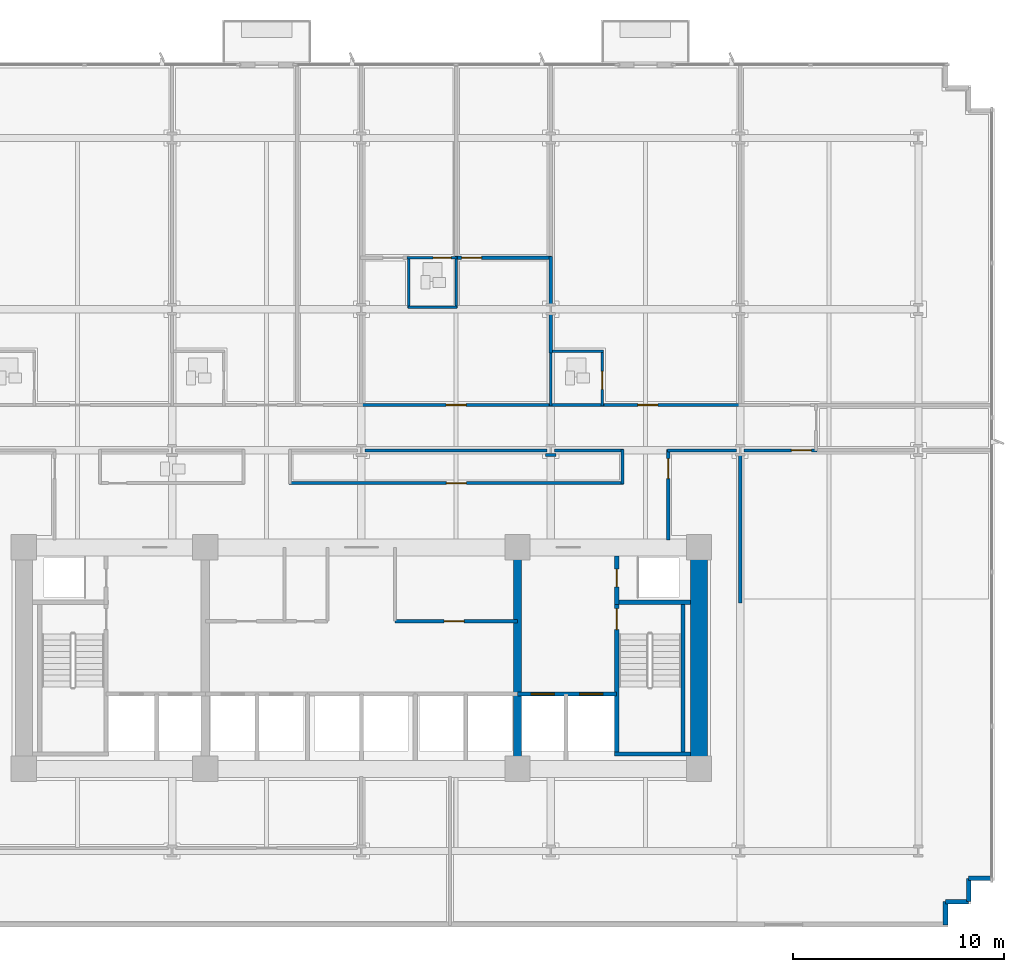
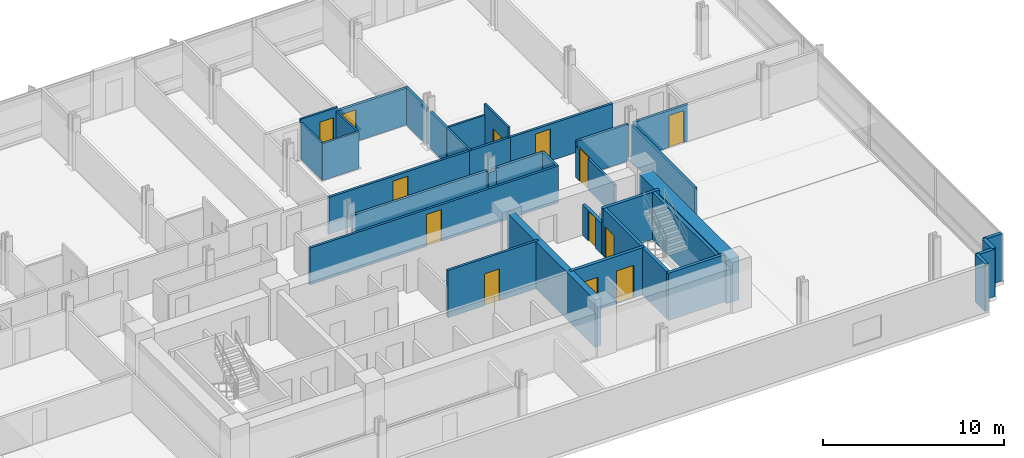
# One storey, part 10 of 15: 35 walls, 13 doors, 13 openings.
"""IFC4 building model written with IfcOpenShell, lengths in metres."""

from ifc_helpers import new_model, si_unit, direction, frame, frame_2d, origin, place, context, subcontext, project, spatial, rectangle, extrude, material, layer, layer_set, type_object, element, fill, save


model = new_model("IFC4")

# Units and contexts
model_context = context("Model", 3, precision=1e-05, world=origin(), true_north=direction((0.0, 1.0)))
body_context = subcontext(model_context, "Body", "Model", "MODEL_VIEW")
ifc_project = project(units=[si_unit("LENGTHUNIT", "METRE"), si_unit("AREAUNIT", "SQUARE_METRE"), si_unit("VOLUMEUNIT", "CUBIC_METRE"), si_unit("PLANEANGLEUNIT", "RADIAN"), si_unit("MASSUNIT", "GRAM", prefix="KILO")], contexts=[model_context])

# Site, building, storey
site_placement = place(None, origin())
site = spatial("IfcSite", under=ifc_project, at=site_placement, CompositionType="ELEMENT")
building_placement = place(site_placement, origin())
building = spatial("IfcBuilding", under=site, at=building_placement, Name="Solmavex Isthmus Hotel", CompositionType="ELEMENT")
storey_placement = place(building_placement, frame((0.0, 0.0, 33.300048828125)))
storey = spatial("IfcBuildingStorey", under=building, at=storey_placement, Name="L08", CompositionType="ELEMENT", Elevation=33.300048828125)

# Walls
ifc_material_1 = material(Name="Precast Concrete C40/50", Category="concrete")
ifc_layer_1 = layer(ifc_material_1, 0.25)
ifc_layer_set_1 = layer_set([ifc_layer_1], Name="Precast Concrete C40/50")
wall_type_1 = type_object("IfcWallType", Name="EW-TWR-250", PredefinedType="STANDARD", material=ifc_layer_set_1)
wall_1_placement = place(storey_placement, frame((29.889892578125, -18.18994140625, 0.0), z_axis=(0.0, 0.0, 1.0), x_axis=(-1.0, 0.0, 0.0)))
element("IfcWall", 1, at=wall_1_placement, inside=storey, type_object=wall_type_1, Name="Serrated Corner Facade Panel L08-16", PredefinedType="STANDARD", context=body_context, shape_type="SweptSolid", body=[
    extrude(rectangle(XDim=1.099853515625, YDim=0.219970703125, at=frame_2d((0.5498046875, 0.0))), origin(), (0.0, 0.0, 1.0), 3.18994140625),
])
for number, where, z_axis, x_axis, name in (
    (2, (28.7900390625, -18.18994140625, 0.0), (0.0, 0.0, 1.0), (0.0, -1.0, 0.0), "Serrated Corner Facade Panel L08-17"),
    (3, (28.7900390625, -19.2900390625, 0.0), (0.0, 0.0, 1.0), (-1.0, 0.0, 0.0), "Serrated Corner Facade Panel L08-18"),
):
    element("IfcWall", number, at=place(storey_placement, frame(where, z_axis=z_axis, x_axis=x_axis)), inside=storey, type_object=wall_type_1, Name=name, PredefinedType="STANDARD", context=body_context, shape_type="SweptSolid", body=[
        extrude(rectangle(XDim=1.10009765625, YDim=0.219970703125, at=frame_2d((0.550048828125, 0.0))), origin(), (0.0, 0.0, 1.0), 3.18994140625),
    ])
wall_2_placement = place(storey_placement, frame((27.68994140625, -19.2900390625, 0.0), z_axis=(0.0, 0.0, 1.0), x_axis=(0.0, -1.0, 0.0)))
element("IfcWall", 4, at=wall_2_placement, inside=storey, type_object=wall_type_1, Name="Serrated Corner Facade Panel L08-19", PredefinedType="STANDARD", context=body_context, shape_type="SweptSolid", body=[
    extrude(rectangle(XDim=1.099853515625, YDim=0.219970703125, at=frame_2d((0.5498046875, 0.0))), origin(), (0.0, 0.0, 1.0), 3.18994140625),
])

# Wall, opening, door
ifc_material_2 = material(Name="Gypsum plasterboard lining", Category="gypsum")
ifc_layer_2 = layer(ifc_material_2, 0.159912109375)
ifc_layer_set_2 = layer_set([ifc_layer_2], Name="Gypsum plasterboard lining")
wall_type_2 = type_object("IfcWallType", Name="IW-COMP-160", PredefinedType="PARTITIONING", material=ifc_layer_set_2)
wall_3_placement = place(storey_placement, frame((4.447998046875, 11.238037109375, 0.0), z_axis=(0.0, 0.0, 1.0), x_axis=(1.0, 0.0, 0.0)))
wall_3 = element("IfcWall", 5, at=wall_3_placement, inside=storey, type_object=wall_type_2, Name="Interior Partition Wall W-L08-P060", PredefinedType="PARTITIONING", context=body_context, shape_type="SweptSolid", body=[
    extrude(rectangle(XDim=4.568115234375, YDim=0.159912109375, at=frame_2d((2.2841796875, 0.0))), origin(), (0.0, 0.0, 1.0), 2.4794921875),
])
opening_1_placement = place(wall_3_placement, frame((0.301025390625, 0.0, 0.0)))
opening_1 = element("IfcOpeningElement", 6, at=opening_1_placement, cuts=wall_3, Name="Opening ID-C095", PredefinedType="OPENING", context=body_context, shape_type="SweptSolid", body=[
    extrude(rectangle(XDim=0.949951171875, YDim=2.14990234375, at=frame_2d((0.47509765625, 1.074951171875))), frame((0.0, 0.08984375, 0.0), z_axis=(0.0, -1.0, 0.0), x_axis=(1.0, 0.0, 0.0)), (0.0, 0.0, 1.0), 0.179931640625),
])
ifc_material_3 = material(Name="Hardwood timber", Category="wood")
door_type_1 = type_object("IfcDoorType", Name="IDR-FD60-0950", OperationType="NOTDEFINED", PredefinedType="DOOR", material=ifc_material_3)
door_1_placement = place(opening_1_placement, origin())
door_1 = element("IfcDoor", 7, at=door_1_placement, inside=storey, type_object=door_type_1, Name="Diplomatic Hospitality Suite Sitting Lounge Door L08-12", OperationType="SINGLE_SWING_RIGHT", OverallHeight=2.14990234375, OverallWidth=0.949951171875, PredefinedType="DOOR", context=body_context, shape_type="SweptSolid", body=[
    extrude(rectangle(XDim=0.949951171875, YDim=2.14990234375, at=frame_2d((0.47509765625, 1.074951171875))), frame((0.0, 0.02490234375, 0.0), z_axis=(0.0, -1.0, 0.0), x_axis=(1.0, 0.0, 0.0)), (0.0, 0.0, 1.0), 0.050048828125),
])
fill(opening_1, door_1)

# Walls
wall_4_placement = place(storey_placement, frame((8.97607421875, 8.613037109375, 0.0), z_axis=(0.0, 0.0, 1.0), x_axis=(0.0, -1.0, 0.0)))
element("IfcWall", 8, at=wall_4_placement, inside=storey, type_object=wall_type_2, Name="Interior Partition Wall W-L08-P064", PredefinedType="PARTITIONING", context=body_context, shape_type="SweptSolid", body=[
    extrude(rectangle(XDim=1.89501953125, YDim=0.159912109375, at=frame_2d((0.947509765625, 0.0))), origin(), (0.0, 0.0, 1.0), 2.4794921875),
])
wall_5_placement = place(storey_placement, frame((8.97607421875, 11.278076171875, 0.0), z_axis=(0.0, 0.0, 1.0), x_axis=(0.0, -1.0, 0.0)))
element("IfcWall", 9, at=wall_5_placement, inside=storey, type_object=wall_type_2, Name="Interior Partition Wall W-L08-P065", PredefinedType="PARTITIONING", context=body_context, shape_type="SweptSolid", body=[
    extrude(rectangle(XDim=2.315185546875, YDim=0.159912109375, at=frame_2d((1.15771484375, 0.0))), origin(), (0.0, 0.0, 1.0), 2.4794921875),
])
wall_6_placement = place(storey_placement, frame((17.951904296875, -5.139892578125, 0.0), z_axis=(0.0, 0.0, 1.0), x_axis=(0.0, 1.0, 0.0)))
element("IfcWall", 10, at=wall_6_placement, inside=storey, type_object=wall_type_2, Name="Interior Partition Wall W-L08-P083", PredefinedType="PARTITIONING", context=body_context, shape_type="SweptSolid", body=[
    extrude(rectangle(XDim=7.06494140625, YDim=0.159912109375, at=frame_2d((3.532470703125, 0.0))), origin(), (0.0, 0.0, 1.0), 2.4794921875),
])

# Wall, opening, door
ifc_layer_3 = layer(ifc_material_2, 0.14990234375)
ifc_layer_set_3 = layer_set([ifc_layer_3], Name="Gypsum plasterboard lining")
wall_type_3 = type_object("IfcWallType", Name="IW-CORR-150", PredefinedType="PARTITIONING", material=ifc_layer_set_3)
wall_7_placement = place(storey_placement, frame((1.60009765625, -6.0, 0.0), z_axis=(0.0, 0.0, 1.0), x_axis=(1.0, 0.0, 0.0)))
wall_7 = element("IfcWall", 11, at=wall_7_placement, inside=storey, type_object=wall_type_3, Name="Interior Partition Wall W-L08-BOH-ES", PredefinedType="PARTITIONING", context=body_context, shape_type="SweptSolid", body=[
    extrude(rectangle(XDim=5.7998046875, YDim=0.14990234375, at=frame_2d((2.89990234375, 0.0))), origin(), (0.0, 0.0, 1.0), 3.18994140625),
])
opening_2_placement = place(wall_7_placement, frame((2.324951171875, 0.0, 0.0)))
opening_2 = element("IfcOpeningElement", 12, at=opening_2_placement, cuts=wall_7, Name="Opening ID-C095", PredefinedType="OPENING", context=body_context, shape_type="SweptSolid", body=[
    extrude(rectangle(XDim=0.949951171875, YDim=2.14990234375, at=frame_2d((0.47509765625, 1.074951171875))), frame((0.0, 0.0849609375, 0.0), z_axis=(0.0, -1.0, 0.0), x_axis=(1.0, 0.0, 0.0)), (0.0, 0.0, 1.0), 0.169921875),
])
door_2_placement = place(opening_2_placement, frame((0.949951171875, 0.0, 0.0), z_axis=(0.0, 0.0, 1.0), x_axis=(-1.0, 0.0, 0.0)))
door_2 = element("IfcDoor", 13, at=door_2_placement, inside=storey, type_object=door_type_1, Name="Butler Pantry Door L08", OperationType="SINGLE_SWING_RIGHT", OverallHeight=2.14990234375, OverallWidth=0.949951171875, PredefinedType="DOOR", context=body_context, shape_type="SweptSolid", body=[
    extrude(rectangle(XDim=0.949951171875, YDim=2.14990234375, at=frame_2d((0.47509765625, 1.074951171875))), frame((0.0, 0.02490234375, 0.0), z_axis=(0.0, -1.0, 0.0), x_axis=(1.0, 0.0, 0.0)), (0.0, 0.0, 1.0), 0.050048828125),
])
fill(opening_2, door_2)

wall_8_placement = place(storey_placement, frame((-0.08203125, 4.25, 0.0), z_axis=(0.0, 0.0, 1.0), x_axis=(1.0, 0.0, 0.0)))
wall_8 = element("IfcWall", 14, at=wall_8_placement, inside=storey, type_object=wall_type_3, Name="Interior Partition Wall W-L08-P007", PredefinedType="PARTITIONING", context=body_context, shape_type="SweptSolid", body=[
    extrude(rectangle(XDim=9.14013671875, YDim=0.14990234375, at=frame_2d((4.570068359375, 0.0))), origin(), (0.0, 0.0, 1.0), 2.4794921875),
])
opening_3_placement = place(wall_8_placement, frame((4.094970703125, 0.0, 0.0)))
opening_3 = element("IfcOpeningElement", 15, at=opening_3_placement, cuts=wall_8, Name="Opening ID-C095", PredefinedType="OPENING", context=body_context, shape_type="SweptSolid", body=[
    extrude(rectangle(XDim=0.949951171875, YDim=2.14990234375, at=frame_2d((0.47509765625, 1.074951171875))), frame((0.0, 0.0849609375, 0.0), z_axis=(0.0, -1.0, 0.0), x_axis=(1.0, 0.0, 0.0)), (0.0, 0.0, 1.0), 0.169921875),
])
door_3_placement = place(opening_3_placement, origin())
door_3 = element("IfcDoor", 16, at=door_3_placement, inside=storey, type_object=door_type_1, Name="Diplomatic Hospitality Suite Reception Foyer Door L08-10", OperationType="SINGLE_SWING_RIGHT", OverallHeight=2.14990234375, OverallWidth=0.949951171875, PredefinedType="DOOR", context=body_context, shape_type="SweptSolid", body=[
    extrude(rectangle(XDim=0.949951171875, YDim=2.14990234375, at=frame_2d((0.47509765625, 1.074951171875))), frame((0.0, 0.02490234375, 0.0), z_axis=(0.0, -1.0, 0.0), x_axis=(1.0, 0.0, 0.0)), (0.0, 0.0, 1.0), 0.050048828125),
])
fill(opening_3, door_3)

wall_9_placement = place(storey_placement, frame((11.343994140625, 4.25, 0.0), z_axis=(0.0, 0.0, 1.0), x_axis=(1.0, 0.0, 0.0)))
wall_9 = element("IfcWall", 17, at=wall_9_placement, inside=storey, type_object=wall_type_3, Name="Interior Partition Wall W-L08-P008", PredefinedType="PARTITIONING", context=body_context, shape_type="SweptSolid", body=[
    extrude(rectangle(XDim=6.68994140625, YDim=0.14990234375, at=frame_2d((3.344970703125, 0.0))), origin(), (0.0, 0.0, 1.0), 2.4794921875),
])
opening_4_placement = place(wall_9_placement, frame((1.759521484375, 0.0, 0.0)))
opening_4 = element("IfcOpeningElement", 18, at=opening_4_placement, cuts=wall_9, Name="Opening ID-C095", PredefinedType="OPENING", context=body_context, shape_type="SweptSolid", body=[
    extrude(rectangle(XDim=0.949951171875, YDim=2.14990234375, at=frame_2d((0.47509765625, 1.074951171875))), frame((0.0, 0.0849609375, 0.0), z_axis=(0.0, -1.0, 0.0), x_axis=(1.0, 0.0, 0.0)), (0.0, 0.0, 1.0), 0.169921875),
])
door_4_placement = place(opening_4_placement, origin())
door_4 = element("IfcDoor", 19, at=door_4_placement, inside=storey, type_object=door_type_1, Name="Diplomatic Suite Door L08-14", OperationType="SINGLE_SWING_RIGHT", OverallHeight=2.14990234375, OverallWidth=0.949951171875, PredefinedType="DOOR", context=body_context, shape_type="SweptSolid", body=[
    extrude(rectangle(XDim=0.949951171875, YDim=2.14990234375, at=frame_2d((0.47509765625, 1.074951171875))), frame((0.0, 0.02490234375, 0.0), z_axis=(0.0, -1.0, 0.0), x_axis=(1.0, 0.0, 0.0)), (0.0, 0.0, 1.0), 0.050048828125),
])
fill(opening_4, door_4)

# Walls
wall_10_placement = place(storey_placement, frame((8.89404296875, 4.25, 0.0), z_axis=(0.0, 0.0, 1.0), x_axis=(1.0, 0.0, 0.0)))
element("IfcWall", 20, at=wall_10_placement, inside=storey, type_object=wall_type_3, Name="Interior Partition Wall W-L08-P009", PredefinedType="PARTITIONING", context=body_context, shape_type="SweptSolid", body=[
    extrude(rectangle(XDim=2.614013671875, YDim=0.14990234375, at=frame_2d((1.30712890625, 0.0))), origin(), (0.0, 0.0, 1.0), 2.4794921875),
])
wall_11_placement = place(storey_placement, frame((8.801025390625, 2.10009765625, 0.0), z_axis=(0.0, 0.0, 1.0), x_axis=(-1.0, 0.0, 0.0)))
element("IfcWall", 21, at=wall_11_placement, inside=storey, type_object=wall_type_3, Name="Interior Partition Wall W-L08-P019", PredefinedType="PARTITIONING", context=body_context, shape_type="SweptSolid", body=[
    extrude(rectangle(XDim=8.6259765625, YDim=0.14990234375, at=frame_2d((4.31298828125, 0.0))), origin(), (0.0, 0.0, 1.0), 2.4794921875),
])

# Wall, opening, door
wall_12_placement = place(storey_placement, frame((-3.427978515625, 0.550048828125, 0.0), z_axis=(0.0, 0.0, 1.0), x_axis=(1.0, 0.0, 0.0)))
wall_12 = element("IfcWall", 22, at=wall_12_placement, inside=storey, type_object=wall_type_3, Name="Interior Partition Wall W-L08-P023", PredefinedType="PARTITIONING", context=body_context, shape_type="SweptSolid", body=[
    extrude(rectangle(XDim=15.85205078125, YDim=0.14990234375, at=frame_2d((7.926025390625, 0.0))), origin(), (0.0, 0.0, 1.0), 2.4794921875),
])
opening_5_placement = place(wall_12_placement, frame((7.450927734375, 0.0, 0.0)))
opening_5 = element("IfcOpeningElement", 23, at=opening_5_placement, cuts=wall_12, Name="Opening ID-C095", PredefinedType="OPENING", context=body_context, shape_type="SweptSolid", body=[
    extrude(rectangle(XDim=0.949951171875, YDim=2.14990234375, at=frame_2d((0.47509765625, 1.074951171875))), frame((0.0, 0.0849609375, 0.0), z_axis=(0.0, -1.0, 0.0), x_axis=(1.0, 0.0, 0.0)), (0.0, 0.0, 1.0), 0.169921875),
])
door_5_placement = place(opening_5_placement, origin())
door_5 = element("IfcDoor", 24, at=door_5_placement, inside=storey, type_object=door_type_1, Name="Business Briefing Office Door L08-20", OperationType="SINGLE_SWING_RIGHT", OverallHeight=2.14990234375, OverallWidth=0.949951171875, PredefinedType="DOOR", context=body_context, shape_type="SweptSolid", body=[
    extrude(rectangle(XDim=0.949951171875, YDim=2.14990234375, at=frame_2d((0.47509765625, 1.074951171875))), frame((0.0, 0.02490234375, 0.0), z_axis=(0.0, -1.0, 0.0), x_axis=(1.0, 0.0, 0.0)), (0.0, 0.0, 1.0), 0.050048828125),
])
fill(opening_5, door_5)

# Walls
wall_13_placement = place(storey_placement, frame((12.384033203125, 0.510009765625, 0.0), z_axis=(0.0, 0.0, 1.0), x_axis=(0.0, 1.0, 0.0)))
element("IfcWall", 25, at=wall_13_placement, inside=storey, type_object=wall_type_3, Name="Interior Partition Wall W-L08-P024", PredefinedType="PARTITIONING", context=body_context, shape_type="SweptSolid", body=[
    extrude(rectangle(XDim=1.6298828125, YDim=0.14990234375, at=frame_2d((0.81494140625, 0.0))), origin(), (0.0, 0.0, 1.0), 2.4794921875),
])
wall_14_placement = place(storey_placement, frame((12.424072265625, 2.10009765625, 0.0), z_axis=(0.0, 0.0, 1.0), x_axis=(-1.0, 0.0, 0.0)))
element("IfcWall", 26, at=wall_14_placement, inside=storey, type_object=wall_type_3, Name="Interior Partition Wall W-L08-P025", PredefinedType="PARTITIONING", context=body_context, shape_type="SweptSolid", body=[
    extrude(rectangle(XDim=3.273193359375, YDim=0.14990234375, at=frame_2d((1.63671875, 0.0))), origin(), (0.0, 0.0, 1.0), 2.4794921875),
])
wall_15_placement = place(storey_placement, frame((9.23095703125, 1.885009765625, 0.0), z_axis=(0.0, 0.0, 1.0), x_axis=(-1.0, 0.0, 0.0)))
element("IfcWall", 27, at=wall_15_placement, inside=storey, type_object=wall_type_3, Name="Interior Partition Wall W-L08-P026", PredefinedType="PARTITIONING", context=body_context, shape_type="SweptSolid", body=[
    extrude(rectangle(XDim=0.510009765625, YDim=0.14990234375, at=frame_2d((0.2548828125, 0.0))), origin(), (0.0, 0.0, 1.0), 2.4794921875),
])

# Wall, opening, door
wall_16_placement = place(storey_placement, frame((21.592041015625, 2.10009765625, 0.0), z_axis=(0.0, 0.0, 1.0), x_axis=(-1.0, 0.0, 0.0)))
wall_16 = element("IfcWall", 28, at=wall_16_placement, inside=storey, type_object=wall_type_3, Name="Interior Partition Wall W-L08-P028", PredefinedType="PARTITIONING", context=body_context, shape_type="SweptSolid", body=[
    extrude(rectangle(XDim=3.465087890625, YDim=0.14990234375, at=frame_2d((1.732421875, 0.0))), origin(), (0.0, 0.0, 1.0), 2.4794921875),
])
opening_6_placement = place(wall_16_placement, frame((0.26220703125, 0.0, 0.0)))
opening_6 = element("IfcOpeningElement", 29, at=opening_6_placement, cuts=wall_16, Name="Opening ID-C095", PredefinedType="OPENING", context=body_context, shape_type="SweptSolid", body=[
    extrude(rectangle(XDim=0.949951171875, YDim=2.14990234375, at=frame_2d((0.47509765625, 1.074951171875))), frame((0.0, 0.0849609375, 0.0), z_axis=(0.0, -1.0, 0.0), x_axis=(1.0, 0.0, 0.0)), (0.0, 0.0, 1.0), 0.169921875),
])
door_6_placement = place(opening_6_placement, origin())
door_6 = element("IfcDoor", 30, at=door_6_placement, inside=storey, type_object=door_type_1, Name="Business Briefing Office Door L08-22", OperationType="SINGLE_SWING_RIGHT", OverallHeight=2.14990234375, OverallWidth=0.949951171875, PredefinedType="DOOR", context=body_context, shape_type="SweptSolid", body=[
    extrude(rectangle(XDim=0.949951171875, YDim=2.14990234375, at=frame_2d((0.47509765625, 1.074951171875))), frame((0.0, 0.02490234375, 0.0), z_axis=(0.0, -1.0, 0.0), x_axis=(1.0, 0.0, 0.0)), (0.0, 0.0, 1.0), 0.050048828125),
])
fill(opening_6, door_6)

# Wall
wall_17_placement = place(storey_placement, frame((17.777099609375, 2.10009765625, 0.0), z_axis=(0.0, 0.0, 1.0), x_axis=(-1.0, 0.0, 0.0)))
element("IfcWall", 31, at=wall_17_placement, inside=storey, type_object=wall_type_3, Name="Interior Partition Wall W-L08-P031", PredefinedType="PARTITIONING", context=body_context, shape_type="SweptSolid", body=[
    extrude(rectangle(XDim=3.273193359375, YDim=0.14990234375, at=frame_2d((1.63671875, 0.0))), origin(), (0.0, 0.0, 1.0), 2.4794921875),
])

# Wall, opening, door
wall_18_placement = place(storey_placement, frame((14.5439453125, 2.139892578125, 0.0), z_axis=(0.0, 0.0, 1.0), x_axis=(0.0, -1.0, 0.0)))
wall_18 = element("IfcWall", 32, at=wall_18_placement, inside=storey, type_object=wall_type_3, Name="Interior Partition Wall W-L08-P032", PredefinedType="PARTITIONING", context=body_context, shape_type="SweptSolid", body=[
    extrude(rectangle(XDim=4.27978515625, YDim=0.14990234375, at=frame_2d((2.139892578125, 0.0))), origin(), (0.0, 0.0, 1.0), 2.074951171875),
])
opening_7_placement = place(wall_18_placement, frame((0.43017578125, 0.0, 0.0)))
opening_7 = element("IfcOpeningElement", 33, at=opening_7_placement, cuts=wall_18, Name="Opening ID-C095", PredefinedType="OPENING", context=body_context, shape_type="SweptSolid", body=[
    extrude(rectangle(XDim=0.949951171875, YDim=2.14990234375, at=frame_2d((0.47509765625, 1.074951171875))), frame((0.0, 0.0849609375, 0.0), z_axis=(0.0, -1.0, 0.0), x_axis=(1.0, 0.0, 0.0)), (0.0, 0.0, 1.0), 0.169921875),
])
door_7_placement = place(opening_7_placement, frame((0.949951171875, 0.0, 0.0), z_axis=(0.0, 0.0, 1.0), x_axis=(-1.0, 0.0, 0.0)))
door_7 = element("IfcDoor", 34, at=door_7_placement, inside=storey, type_object=door_type_1, Name="Executive Hospitality Lounge Door L08-24", OperationType="SINGLE_SWING_RIGHT", OverallHeight=2.14990234375, OverallWidth=0.949951171875, PredefinedType="DOOR", context=body_context, shape_type="SweptSolid", body=[
    extrude(rectangle(XDim=0.949951171875, YDim=2.14990234375, at=frame_2d((0.47509765625, 1.074951171875))), frame((0.0, 0.02490234375, 0.0), z_axis=(0.0, -1.0, 0.0), x_axis=(1.0, 0.0, 0.0)), (0.0, 0.0, 1.0), 0.050048828125),
])
fill(opening_7, door_7)

# Walls
ifc_layer_4 = layer(ifc_material_2, 0.1201171875)
ifc_layer_set_4 = layer_set([ifc_layer_4], Name="Gypsum plasterboard lining")
wall_type_4 = type_object("IfcWallType", Name="IW-PART-120", PredefinedType="PARTITIONING", material=ifc_layer_set_4)
wall_19_placement = place(storey_placement, frame((2.238037109375, 11.278076171875, 0.0), z_axis=(0.0, 0.0, 1.0), x_axis=(0.0, -1.0, 0.0)))
element("IfcWall", 35, at=wall_19_placement, inside=storey, type_object=wall_type_4, Name="Interior Partition Wall W-L08-P061", PredefinedType="PARTITIONING", context=body_context, shape_type="SweptSolid", body=[
    extrude(rectangle(XDim=2.43017578125, YDim=0.1201171875, at=frame_2d((1.215087890625, 0.0))), origin(), (0.0, 0.0, 1.0), 2.4794921875),
])
wall_20_placement = place(storey_placement, frame((2.197998046875, 8.887939453125, 0.0), z_axis=(0.0, 0.0, 1.0), x_axis=(1.0, 0.0, 0.0)))
element("IfcWall", 36, at=wall_20_placement, inside=storey, type_object=wall_type_4, Name="Interior Partition Wall W-L08-P062", PredefinedType="PARTITIONING", context=body_context, shape_type="SweptSolid", body=[
    extrude(rectangle(XDim=2.330078125, YDim=0.1201171875, at=frame_2d((1.1650390625, 0.0))), origin(), (0.0, 0.0, 1.0), 2.4794921875),
])
wall_21_placement = place(storey_placement, frame((4.488037109375, 8.847900390625, 0.0), z_axis=(0.0, 0.0, 1.0), x_axis=(0.0, 1.0, 0.0)))
element("IfcWall", 37, at=wall_21_placement, inside=storey, type_object=wall_type_4, Name="Interior Partition Wall W-L08-P063", PredefinedType="PARTITIONING", context=body_context, shape_type="SweptSolid", body=[
    extrude(rectangle(XDim=2.43017578125, YDim=0.1201171875, at=frame_2d((1.215087890625, 0.0))), origin(), (0.0, 0.0, 1.0), 2.4794921875),
])
wall_22_placement = place(storey_placement, frame((8.97607421875, 6.882080078125, 0.0), z_axis=(0.0, 0.0, 1.0), x_axis=(0.0, -1.0, 0.0)))
element("IfcWall", 38, at=wall_22_placement, inside=storey, type_object=wall_type_4, Name="Interior Partition Wall W-L08-P066", PredefinedType="PARTITIONING", context=body_context, shape_type="SweptSolid", body=[
    extrude(rectangle(XDim=2.672119140625, YDim=0.1201171875, at=frame_2d((1.3359375, 0.0))), origin(), (0.0, 0.0, 1.0), 2.4794921875),
])

# Wall, opening, door
wall_23_placement = place(storey_placement, frame((4.528076171875, 11.238037109375, 0.0), z_axis=(0.0, 0.0, 1.0), x_axis=(-1.0, 0.0, 0.0)))
wall_23 = element("IfcWall", 39, at=wall_23_placement, inside=storey, type_object=wall_type_4, Name="Interior Partition Wall W-L08-P068", PredefinedType="PARTITIONING", context=body_context, shape_type="SweptSolid", body=[
    extrude(rectangle(XDim=2.3720703125, YDim=0.1201171875, at=frame_2d((1.18603515625, 0.0))), origin(), (0.0, 0.0, 1.0), 2.718017578125),
])
opening_8_placement = place(wall_23_placement, frame((0.27978515625, 0.0, 0.0)))
opening_8 = element("IfcOpeningElement", 40, at=opening_8_placement, cuts=wall_23, Name="Opening ID-U085", PredefinedType="OPENING", context=body_context, shape_type="SweptSolid", body=[
    extrude(rectangle(XDim=0.85009765625, YDim=2.10009765625, at=frame_2d((0.425048828125, 1.050048828125))), frame((0.0, 0.070068359375, 0.0), z_axis=(0.0, -1.0, 0.0), x_axis=(1.0, 0.0, 0.0)), (0.0, 0.0, 1.0), 0.14013671875),
])
door_type_2 = type_object("IfcDoorType", Name="IDR-UNR-0850", OperationType="NOTDEFINED", PredefinedType="DOOR", material=ifc_material_3)
door_8_placement = place(opening_8_placement, frame((0.85009765625, 0.0, 0.0), z_axis=(0.0, 0.0, 1.0), x_axis=(-1.0, 0.0, 0.0)))
door_8 = element("IfcDoor", 41, at=door_8_placement, inside=storey, type_object=door_type_2, Name="En-suite Bathroom Door L08-13", OperationType="SINGLE_SWING_LEFT", OverallHeight=2.10009765625, OverallWidth=0.85009765625, PredefinedType="DOOR", context=body_context, shape_type="SweptSolid", body=[
    extrude(rectangle(XDim=0.85009765625, YDim=2.10009765625, at=frame_2d((0.425048828125, 1.050048828125))), frame((0.0, 0.02490234375, 0.0), z_axis=(0.0, -1.0, 0.0), x_axis=(1.0, 0.0, 0.0)), (0.0, 0.0, 1.0), 0.050048828125),
])
fill(opening_8, door_8)

wall_24_placement = place(storey_placement, frame((11.426025390625, 4.2099609375, 0.0), z_axis=(0.0, 0.0, 1.0), x_axis=(0.0, 1.0, 0.0)))
wall_24 = element("IfcWall", 42, at=wall_24_placement, inside=storey, type_object=wall_type_4, Name="Interior Partition Wall W-L08-P071", PredefinedType="PARTITIONING", context=body_context, shape_type="SweptSolid", body=[
    extrude(rectangle(XDim=2.630126953125, YDim=0.1201171875, at=frame_2d((1.31494140625, 0.0))), origin(), (0.0, 0.0, 1.0), 3.18994140625),
])
opening_9_placement = place(wall_24_placement, frame((0.782958984375, 0.0, 0.0)))
opening_9 = element("IfcOpeningElement", 43, at=opening_9_placement, cuts=wall_24, Name="Opening ID-U085", PredefinedType="OPENING", context=body_context, shape_type="SweptSolid", body=[
    extrude(rectangle(XDim=0.85009765625, YDim=2.10009765625, at=frame_2d((0.425048828125, 1.050048828125))), frame((0.0, 0.070068359375, 0.0), z_axis=(0.0, -1.0, 0.0), x_axis=(1.0, 0.0, 0.0)), (0.0, 0.0, 1.0), 0.14013671875),
])
door_9_placement = place(opening_9_placement, frame((0.85009765625, 0.0, 0.0), z_axis=(0.0, 0.0, 1.0), x_axis=(-1.0, 0.0, 0.0)))
door_9 = element("IfcDoor", 44, at=door_9_placement, inside=storey, type_object=door_type_2, Name="En-suite Bathroom Door L08-15", OperationType="SINGLE_SWING_LEFT", OverallHeight=2.10009765625, OverallWidth=0.85009765625, PredefinedType="DOOR", context=body_context, shape_type="SweptSolid", body=[
    extrude(rectangle(XDim=0.85009765625, YDim=2.10009765625, at=frame_2d((0.425048828125, 1.050048828125))), frame((0.0, 0.02490234375, 0.0), z_axis=(0.0, -1.0, 0.0), x_axis=(1.0, 0.0, 0.0)), (0.0, 0.0, 1.0), 0.050048828125),
])
fill(opening_9, door_9)

# Wall
wall_25_placement = place(storey_placement, frame((11.466064453125, 6.800048828125, 0.0), z_axis=(0.0, 0.0, 1.0), x_axis=(-1.0, 0.0, 0.0)))
element("IfcWall", 45, at=wall_25_placement, inside=storey, type_object=wall_type_4, Name="Interior Partition Wall W-L08-P072", PredefinedType="PARTITIONING", context=body_context, shape_type="SweptSolid", body=[
    extrude(rectangle(XDim=2.530029296875, YDim=0.1201171875, at=frame_2d((1.26513671875, 0.0))), origin(), (0.0, 0.0, 1.0), 2.4794921875),
])

# Wall, opening, door
ifc_material_4 = material(Name="Concrete C40/50", Category="concrete")
ifc_layer_5 = layer(ifc_material_4, 0.199951171875)
ifc_layer_set_5 = layer_set([ifc_layer_5], Name="Concrete C40/50")
wall_type_5 = type_object("IfcWallType", Name="IW-SHAFT-200", PredefinedType="PARTITIONING", material=ifc_layer_set_5)
wall_26_placement = place(storey_placement, frame((12.10009765625, -5.199951171875, 0.0), z_axis=(0.0, 0.0, 1.0), x_axis=(0.0, 1.0, 0.0)))
wall_26 = element("IfcWall", 46, at=wall_26_placement, inside=storey, type_object=wall_type_5, Name="Interior Partition Wall W-L08-RSE-W", PredefinedType="PARTITIONING", context=body_context, shape_type="SweptSolid", body=[
    extrude(rectangle(XDim=2.300048828125, YDim=0.199951171875, at=frame_2d((1.14990234375, 0.0))), origin(), (0.0, 0.0, 1.0), 2.074951171875),
])
opening_10_placement = place(wall_26_placement, frame((0.824951171875, 0.0, 0.0)))
opening_10 = element("IfcOpeningElement", 47, at=opening_10_placement, cuts=wall_26, Name="Opening ID-R085", PredefinedType="OPENING", context=body_context, shape_type="SweptSolid", body=[
    extrude(rectangle(XDim=0.85009765625, YDim=2.050048828125, at=frame_2d((0.425048828125, 1.02490234375))), frame((0.0, 0.10986328125, 0.0), z_axis=(0.0, -1.0, 0.0), x_axis=(1.0, 0.0, 0.0)), (0.0, 0.0, 1.0), 0.219970703125),
])
ifc_material_5 = material(Name="Steel ASTM A500 Grade C", Category="steel")
door_type_3 = type_object("IfcDoorType", Name="IDR-FD60-0850", OperationType="NOTDEFINED", PredefinedType="DOOR", material=ifc_material_5)
door_10_placement = place(opening_10_placement, frame((0.85009765625, 0.0, 0.0), z_axis=(0.0, 0.0, 1.0), x_axis=(-1.0, 0.0, 0.0)))
door_10 = element("IfcDoor", 48, at=door_10_placement, inside=storey, type_object=door_type_3, Name="Mechanical Riser Door L08", OperationType="SINGLE_SWING_LEFT", OverallHeight=2.050048828125, OverallWidth=0.85009765625, PredefinedType="DOOR", context=body_context, shape_type="SweptSolid", body=[
    extrude(rectangle(XDim=0.85009765625, YDim=2.050048828125, at=frame_2d((0.425048828125, 1.02490234375))), frame((0.0, 0.02490234375, 0.0), z_axis=(0.0, -1.0, 0.0), x_axis=(1.0, 0.0, 0.0)), (0.0, 0.0, 1.0), 0.050048828125),
])
fill(opening_10, door_10)

# Wall, openings, doors
wall_27_placement = place(storey_placement, frame((7.39990234375, -9.449951171875, 0.0), z_axis=(0.0, 0.0, 1.0), x_axis=(1.0, 0.0, 0.0)))
wall_27 = element("IfcWall", 49, at=wall_27_placement, inside=storey, type_object=wall_type_5, Name="Interior Partition Wall W-L08-FFLE-S", PredefinedType="PARTITIONING", context=body_context, shape_type="SweptSolid", body=[
    extrude(rectangle(XDim=4.7001953125, YDim=0.199951171875, at=frame_2d((2.35009765625, 0.0))), origin(), (0.0, 0.0, 1.0), 3.18994140625),
])
opening_11_placement = place(wall_27_placement, frame((2.949951171875, 0.0, 0.0)))
opening_11 = element("IfcOpeningElement", 50, at=opening_11_placement, cuts=wall_27, Name="Opening LD-FF", PredefinedType="OPENING", context=body_context, shape_type="SweptSolid", body=[
    extrude(rectangle(XDim=1.10009765625, YDim=2.199951171875, at=frame_2d((0.550048828125, 1.10009765625))), frame((0.0, 0.10986328125, 0.0), z_axis=(0.0, -1.0, 0.0), x_axis=(1.0, 0.0, 0.0)), (0.0, 0.0, 1.0), 0.219970703125),
])
opening_12_placement = place(wall_27_placement, frame((0.64990234375, 0.0, 0.0)))
opening_12 = element("IfcOpeningElement", 51, at=opening_12_placement, cuts=wall_27, Name="Opening LD-SV", PredefinedType="OPENING", context=body_context, shape_type="SweptSolid", body=[
    extrude(rectangle(XDim=1.10009765625, YDim=2.199951171875, at=frame_2d((0.550048828125, 1.10009765625))), frame((0.0, 0.10986328125, 0.0), z_axis=(0.0, -1.0, 0.0), x_axis=(1.0, 0.0, 0.0)), (0.0, 0.0, 1.0), 0.219970703125),
])
ifc_material_6 = material(Name="Stainless steel 316", Category="steel")
door_type_4 = type_object("IfcDoorType", Name="LDR-FF-1100", OperationType="NOTDEFINED", PredefinedType="DOOR", material=ifc_material_6)
door_11_placement = place(opening_11_placement, origin())
door_11 = element("IfcDoor", 52, at=door_11_placement, inside=storey, type_object=door_type_4, Name="Lift Landing Door FFL-2 L08", OperationType="SLIDING_TO_LEFT", OverallHeight=2.199951171875, OverallWidth=1.10009765625, PredefinedType="DOOR", context=body_context, shape_type="SweptSolid", body=[
    extrude(rectangle(XDim=1.10009765625, YDim=2.199951171875, at=frame_2d((0.550048828125, 1.10009765625))), frame((0.0, 0.02490234375, 0.0), z_axis=(0.0, -1.0, 0.0), x_axis=(1.0, 0.0, 0.0)), (0.0, 0.0, 1.0), 0.050048828125),
])
fill(opening_11, door_11)
door_type_5 = type_object("IfcDoorType", Name="LDR-SV-1100", OperationType="NOTDEFINED", PredefinedType="DOOR", material=ifc_material_6)
door_12_placement = place(opening_12_placement, origin())
door_12 = element("IfcDoor", 53, at=door_12_placement, inside=storey, type_object=door_type_5, Name="Lift Landing Door SVL-2 L08", OperationType="SLIDING_TO_RIGHT", OverallHeight=2.199951171875, OverallWidth=1.10009765625, PredefinedType="DOOR", context=body_context, shape_type="SweptSolid", body=[
    extrude(rectangle(XDim=1.10009765625, YDim=2.199951171875, at=frame_2d((0.550048828125, 1.10009765625))), frame((0.0, 0.02490234375, 0.0), z_axis=(0.0, -1.0, 0.0), x_axis=(1.0, 0.0, 0.0)), (0.0, 0.0, 1.0), 0.050048828125),
])
fill(opening_12, door_12)

# Walls
ifc_material_7 = material(Name="Concrete C70/85", Category="concrete")
ifc_layer_6 = layer(ifc_material_7, 0.39990234375)
ifc_layer_set_6 = layer_set([ifc_layer_6], Name="Concrete C70/85")
wall_type_6 = type_object("IfcWallType", Name="WALL-CW-400L", PredefinedType="SHEAR", material=ifc_layer_set_6)
wall_28_placement = place(storey_placement, frame((7.39990234375, -12.60009765625, 0.0), z_axis=(0.0, 0.0, 1.0), x_axis=(0.0, 1.0, 0.0)))
element("IfcWall", 54, at=wall_28_placement, inside=storey, type_object=wall_type_6, Name="Core Cross Shear Wall C2 L08", PredefinedType="SHEAR", context=body_context, shape_type="SweptSolid", body=[
    extrude(rectangle(XDim=9.7001953125, YDim=0.39990234375, at=frame_2d((4.85009765625, 0.0))), origin(), (0.0, 0.0, 1.0), 3.18994140625),
])
ifc_layer_7 = layer(ifc_material_7, 0.800048828125)
ifc_layer_set_7 = layer_set([ifc_layer_7], Name="Concrete C70/85")
wall_type_7 = type_object("IfcWallType", Name="WALL-CW-800", PredefinedType="SHEAR", material=ifc_layer_set_7)
wall_29_placement = place(storey_placement, frame((16.0, -12.60009765625, 0.0), z_axis=(0.0, 0.0, 1.0), x_axis=(0.0, 1.0, 0.0)))
element("IfcWall", 55, at=wall_29_placement, inside=storey, type_object=wall_type_7, Name="Core Shear Wall East L08", PredefinedType="SHEAR", context=body_context, shape_type="SweptSolid", body=[
    extrude(rectangle(XDim=9.7001953125, YDim=0.800048828125, at=frame_2d((4.85009765625, 0.0))), origin(), (0.0, 0.0, 1.0), 2.909912109375),
])
ifc_layer_8 = layer(ifc_material_4, 0.199951171875)
ifc_layer_set_8 = layer_set([ifc_layer_8], Name="Concrete C40/50")
wall_type_8 = type_object("IfcWallType", Name="WALL-SW-200", PredefinedType="SOLIDWALL", material=ifc_layer_set_8)
for number, where, z_axis, x_axis, name in (
    (56, (12.0, -12.300048828125, 0.0), (0.0, 0.0, 1.0), (1.0, 0.0, 0.0), "Stairwell Structural Wall SW-L08-ST2-S"),
    (57, (12.0, -5.10009765625, 0.0), (0.0, 0.0, 1.0), (1.0, 0.0, 0.0), "Stairwell Structural Wall SW-L08-ST2-N"),
):
    element("IfcWall", number, at=place(storey_placement, frame(where, z_axis=z_axis, x_axis=x_axis)), inside=storey, type_object=wall_type_8, Name=name, PredefinedType="SOLIDWALL", context=body_context, shape_type="SweptSolid", body=[
        extrude(rectangle(XDim=3.60009765625, YDim=0.199951171875, at=frame_2d((1.800048828125, 0.0))), origin(), (0.0, 0.0, 1.0), 3.18994140625),
    ])

# Wall, opening, door
wall_30_placement = place(storey_placement, frame((12.10009765625, -12.199951171875, 0.0), z_axis=(0.0, 0.0, 1.0), x_axis=(0.0, 1.0, 0.0)))
wall_30 = element("IfcWall", 58, at=wall_30_placement, inside=storey, type_object=wall_type_8, Name="Stairwell Structural Wall SW-L08-ST2-W", PredefinedType="SOLIDWALL", context=body_context, shape_type="SweptSolid", body=[
    extrude(rectangle(XDim=7.0, YDim=0.199951171875, at=frame_2d((3.5, 0.0))), origin(), (0.0, 0.0, 1.0), 3.18994140625),
])
opening_13_placement = place(wall_30_placement, frame((5.800048828125, 0.0, 0.0)))
opening_13 = element("IfcOpeningElement", 59, at=opening_13_placement, cuts=wall_30, Name="Opening ID-F100", PredefinedType="OPENING", context=body_context, shape_type="SweptSolid", body=[
    extrude(rectangle(XDim=1.0, YDim=2.10009765625, at=frame_2d((0.5, 1.050048828125))), frame((0.0, 0.10986328125, 0.0), z_axis=(0.0, -1.0, 0.0), x_axis=(1.0, 0.0, 0.0)), (0.0, 0.0, 1.0), 0.219970703125),
])
door_type_6 = type_object("IfcDoorType", Name="IDR-FD90-1000", OperationType="NOTDEFINED", PredefinedType="DOOR", material=ifc_material_5)
door_13_placement = place(opening_13_placement, origin())
door_13 = element("IfcDoor", 60, at=door_13_placement, inside=storey, type_object=door_type_6, Name="Stair ST-2 Fire Door L08", OperationType="SINGLE_SWING_RIGHT", OverallHeight=2.10009765625, OverallWidth=1.0, PredefinedType="DOOR", context=body_context, shape_type="SweptSolid", body=[
    extrude(rectangle(XDim=1.0, YDim=2.10009765625, at=frame_2d((0.5, 1.050048828125))), frame((0.0, 0.02490234375, 0.0), z_axis=(0.0, -1.0, 0.0), x_axis=(1.0, 0.0, 0.0)), (0.0, 0.0, 1.0), 0.050048828125),
])
fill(opening_13, door_13)

# Wall
wall_31_placement = place(storey_placement, frame((15.25, -12.199951171875, 0.0), z_axis=(0.0, 0.0, 1.0), x_axis=(0.0, 1.0, 0.0)))
element("IfcWall", 61, at=wall_31_placement, inside=storey, type_object=wall_type_8, Name="Stairwell Structural Wall SW-L08-ST2-E", PredefinedType="SOLIDWALL", context=body_context, shape_type="SweptSolid", body=[
    extrude(rectangle(XDim=7.0, YDim=0.199951171875, at=frame_2d((3.5, 0.0))), origin(), (0.0, 0.0, 1.0), 3.18994140625),
])

save(model, "model.ifc")
